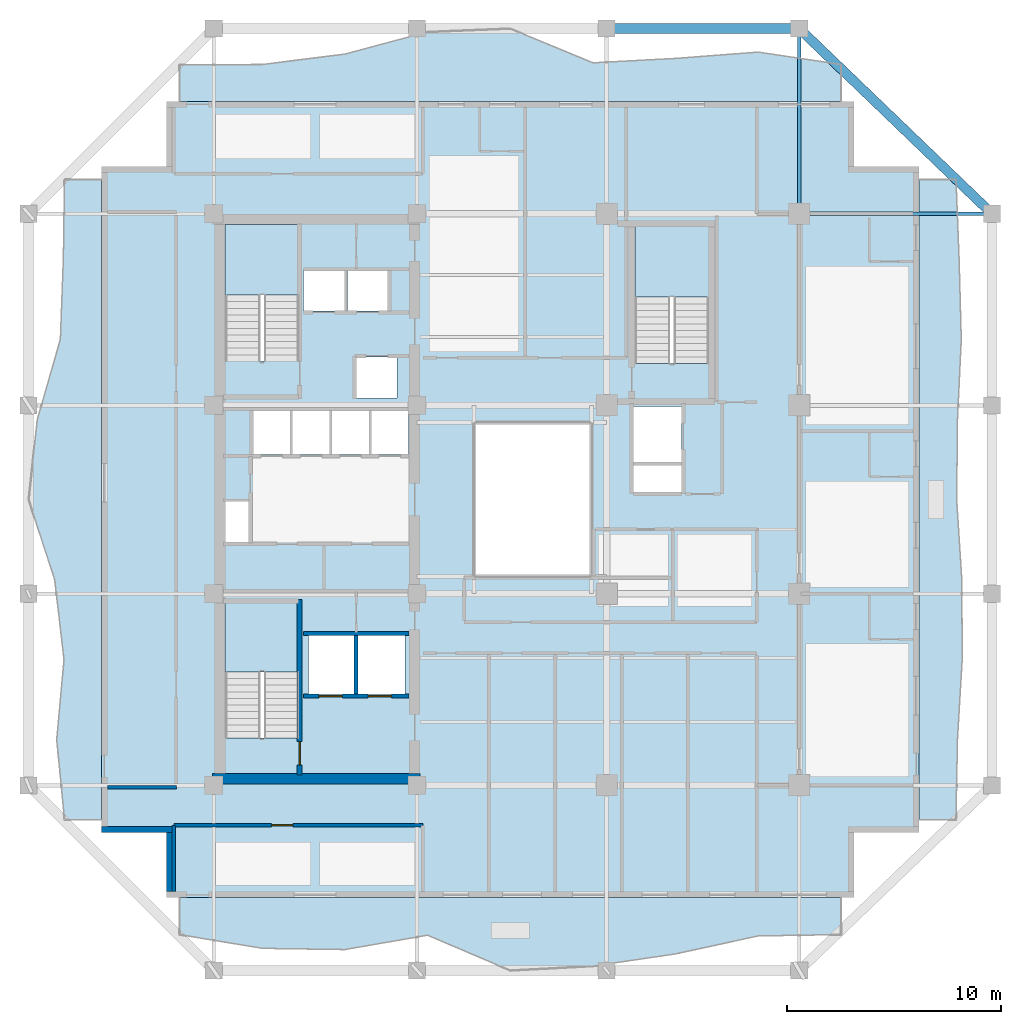
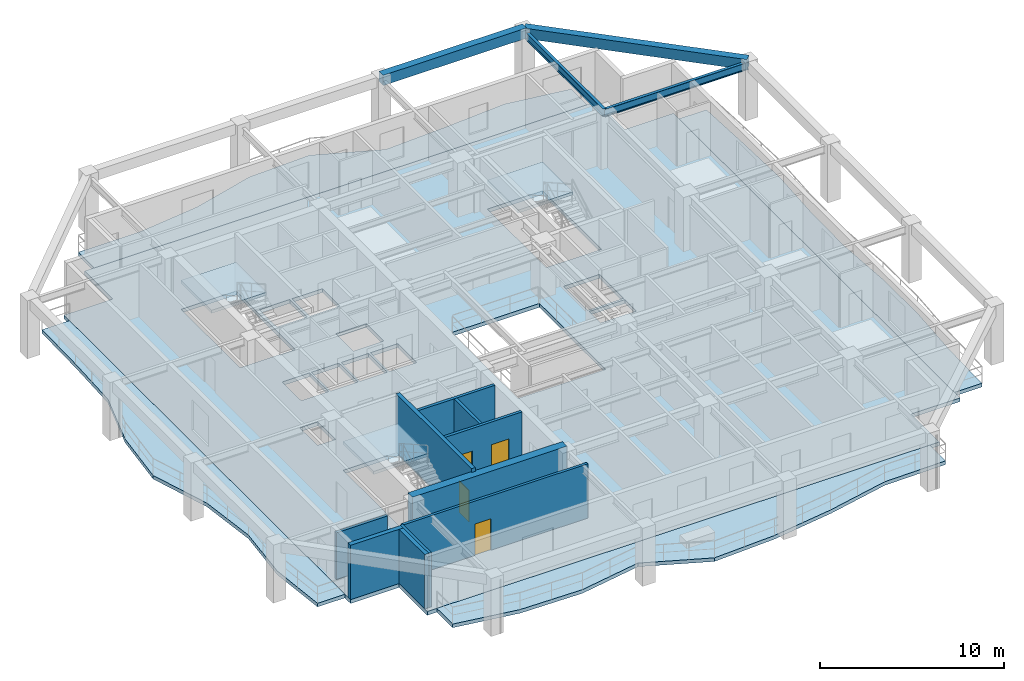
# One storey, part 2 of 11: 10 walls, 8 slabs, 4 beams, 4 doors, 4 openings, 3 elements without a shape of their own.
"""IFC4 building model written with IfcOpenShell, lengths in metres."""

from ifc_helpers import new_model, si_unit, direction, frame, frame_2d, origin, origin_2d, place, context, subcontext, project, spatial, polyline, rectangle, i_section, outline, extrude, material, layer, layer_set, material_profile, profile_set, type_object, element, fill, aggregate, save


model = new_model("IFC4")

# Units and contexts
model_context = context("Model", 3, precision=1e-05, world=origin(), true_north=direction((0.0, 1.0)))
body_context = subcontext(model_context, "Body", "Model", "MODEL_VIEW")
ifc_project = project(units=[si_unit("LENGTHUNIT", "METRE"), si_unit("AREAUNIT", "SQUARE_METRE"), si_unit("VOLUMEUNIT", "CUBIC_METRE"), si_unit("PLANEANGLEUNIT", "RADIAN"), si_unit("MASSUNIT", "GRAM", prefix="KILO")], contexts=[model_context])

# Site, building, storey
site_placement = place(None, origin())
site = spatial("IfcSite", under=ifc_project, at=site_placement, CompositionType="ELEMENT")
building_placement = place(site_placement, origin())
building = spatial("IfcBuilding", under=site, at=building_placement, Name="Kundavana Baori Tower", CompositionType="ELEMENT")
storey_placement = place(building_placement, frame((0.0, 0.0, 142.5)))
storey = spatial("IfcBuildingStorey", under=building, at=storey_placement, Name="L34", CompositionType="ELEMENT", Elevation=142.5)

# Beams
ifc_material_1 = material(Name="Concrete C50/60", Category="concrete")
ifc_material_profile_1 = material_profile(ifc_material_1, rectangle(XDim=0.449951171875, YDim=0.679931640625, at=origin_2d()), Name="RC BM 450x680")
ifc_profile_set_1 = profile_set([ifc_material_profile_1], Name="Concrete C50/60")
beam_type_1 = type_object("IfcBeamType", Name="BM-PF-680", PredefinedType="SPANDREL", material=ifc_profile_set_1)
beam_1_placement = place(storey_placement, frame((33.800048828125, 50.60009765625, 3.510009765625), z_axis=(1.0, 0.0, 0.0), x_axis=(0.0, 1.0, 0.0)))
element("IfcBeam", 1, at=beam_1_placement, inside=storey, type_object=beam_type_1, Name="L34 Perimeter Frame Ring Beam N3", PredefinedType="SPANDREL", context=body_context, shape_type="SweptSolid", body=[
    extrude(rectangle(XDim=0.449951171875, YDim=0.679931640625, at=origin_2d()), origin(), (0.0, 0.0, 1.0), 9.0),
])
beam_2_placement = place(storey_placement, frame((42.800048828125, 50.60009765625, 3.510009765625), z_axis=(0.720981122985, -0.692954702921, 0.0), x_axis=(0.692954702921, 0.720981122985, 0.0)))
element("IfcBeam", 2, at=beam_2_placement, inside=storey, type_object=beam_type_1, Name="L34 Notched Corner Perimeter Beam NE", PredefinedType="SPANDREL", context=body_context, shape_type="SweptSolid", body=[
    extrude(rectangle(XDim=0.449951171875, YDim=0.679931640625, at=origin_2d()), origin(), (0.0, 0.0, 1.0), 12.48291015625),
])
ifc_material_2 = material(Name="Structural Steel S355JR", Category="steel")
ifc_material_profile_2 = material_profile(ifc_material_2, i_section(OverallWidth=0.179931640625, OverallDepth=0.5, WebThickness=0.01025390625, FlangeThickness=0.01708984375, FilletRadius=0.01708984375, at=origin_2d()), Name="ISMB 500")
ifc_profile_set_2 = profile_set([ifc_material_profile_2], Name="Structural Steel S355JR")
beam_type_2 = type_object("IfcBeamType", Name="BM-TIE-500", PredefinedType="BEAM", material=ifc_profile_set_2)
beam_3_placement = place(storey_placement, frame((42.800048828125, 41.949951171875, 3.35009765625), z_axis=(0.0, 1.0, 0.0), x_axis=(-1.0, 0.0, 0.0)))
element("IfcBeam", 3, at=beam_3_placement, inside=storey, type_object=beam_type_2, Name="L34 North Radial Loggia Tie Beam N4", PredefinedType="BEAM", context=body_context, shape_type="SweptSolid", body=[
    extrude(i_section(OverallWidth=0.179931640625, OverallDepth=0.5, WebThickness=0.01025390625, FlangeThickness=0.01708984375, FilletRadius=0.01708984375, at=origin_2d()), origin(), (0.0, 0.0, 1.0), 8.650146484375),
])
beam_4_placement = place(storey_placement, frame((42.800048828125, 41.949951171875, 3.35009765625), z_axis=(1.0, 0.0, 0.0), x_axis=(0.0, 1.0, 0.0)))
element("IfcBeam", 4, at=beam_4_placement, inside=storey, type_object=beam_type_2, Name="L34 East Radial Loggia Tie Beam E4", PredefinedType="BEAM", context=body_context, shape_type="SweptSolid", body=[
    extrude(i_section(OverallWidth=0.179931640625, OverallDepth=0.5, WebThickness=0.01025390625, FlangeThickness=0.01708984375, FilletRadius=0.01708984375, at=origin_2d()), origin(), (0.0, 0.0, 1.0), 9.0),
])

# Slab
ifc_material_3 = material(Name="Concrete C40/50", Category="concrete")
ifc_layer_1 = layer(ifc_material_3, 0.25, Name="SLB-FLR-250")
ifc_layer_set_1 = layer_set([ifc_layer_1], Name="Concrete C40/50")
slab_type_1 = type_object("IfcSlabType", Name="SLB-FLR-250", PredefinedType="FLOOR", material=ifc_layer_set_1)
slab_1_placement = place(storey_placement, frame((0.0, 0.0, -0.25)))
element("IfcSlab", 5, at=slab_1_placement, inside=storey, type_object=slab_type_1, Name="L34 Structural Floor Slab", PredefinedType="FLOOR", context=body_context, shape_type="SweptSolid", body=[
    extrude(outline(polyline([(13.25, 10.0), (45.35009765625, 10.0), (45.35009765625, 13.050048828125), (48.39990234375, 13.050048828125), (48.39990234375, 44.14990234375), (45.35009765625, 44.14990234375), (45.35009765625, 47.199951171875), (13.25, 47.199951171875), (13.25, 44.14990234375), (10.199951171875, 44.14990234375), (10.199951171875, 13.050048828125), (13.25, 13.050048828125), (13.25, 10.0)]), holes=[polyline([(19.43994140625, 17.4619140625), (19.43994140625, 23.85009765625), (15.97998046875, 23.85009765625), (15.97998046875, 17.4619140625), (19.43994140625, 17.4619140625)]), polyline([(19.43994140625, 35.06201171875), (19.43994140625, 41.449951171875), (15.97998046875, 41.449951171875), (15.97998046875, 35.06201171875), (19.43994140625, 35.06201171875)]), polyline([(38.580078125, 34.9619140625), (38.580078125, 41.35009765625), (35.1201171875, 41.35009765625), (35.1201171875, 34.9619140625), (38.580078125, 34.9619140625)]), polyline([(17.300048828125, 30.699951171875), (19.02001953125, 30.699951171875), (19.02001953125, 32.75), (17.300048828125, 32.75), (17.300048828125, 30.699951171875)]), polyline([(19.139892578125, 30.699951171875), (20.860107421875, 30.699951171875), (20.860107421875, 32.75), (19.139892578125, 32.75), (19.139892578125, 30.699951171875)]), polyline([(20.97998046875, 30.699951171875), (22.699951171875, 30.699951171875), (22.699951171875, 32.75), (20.97998046875, 32.75), (20.97998046875, 30.699951171875)]), polyline([(22.820068359375, 30.699951171875), (24.5400390625, 30.699951171875), (24.5400390625, 32.75), (22.820068359375, 32.75), (22.820068359375, 30.699951171875)]), polyline([(19.64990234375, 37.39990234375), (21.550048828125, 37.39990234375), (21.550048828125, 39.300048828125), (19.64990234375, 39.300048828125), (19.64990234375, 37.39990234375)]), polyline([(21.699951171875, 37.39990234375), (23.60009765625, 37.39990234375), (23.60009765625, 39.300048828125), (21.699951171875, 39.300048828125), (21.699951171875, 37.39990234375)]), polyline([(22.10009765625, 33.35009765625), (24.0, 33.35009765625), (24.0, 35.25), (22.10009765625, 35.25), (22.10009765625, 33.35009765625)]), polyline([(19.8798828125, 19.5), (22.02001953125, 19.5), (22.02001953125, 22.25), (19.8798828125, 22.25), (19.8798828125, 19.5)]), polyline([(22.179931640625, 19.5), (24.3798828125, 19.5), (24.3798828125, 22.25), (22.179931640625, 22.25), (22.179931640625, 19.5)]), polyline([(35.050048828125, 30.35009765625), (37.300048828125, 30.35009765625), (37.300048828125, 32.949951171875), (35.050048828125, 32.949951171875), (35.050048828125, 30.35009765625)]), polyline([(15.949951171875, 26.60009765625), (17.080078125, 26.60009765625), (17.080078125, 28.5), (15.949951171875, 28.5), (15.949951171875, 26.60009765625)]), polyline([(35.050048828125, 28.949951171875), (37.300048828125, 28.949951171875), (37.300048828125, 30.199951171875), (35.050048828125, 30.199951171875), (35.050048828125, 28.949951171875)]), polyline([(27.60009765625, 25.0), (33.10009765625, 25.0), (33.10009765625, 32.199951171875), (27.60009765625, 32.199951171875), (27.60009765625, 25.0)])]), origin(), (0.0, 0.0, 1.0), 0.25),
])

# Stair, slab
ifc_material_4 = material(Name="Concrete C40/50", Category="concrete")
stair_type = type_object("IfcStairType", Name="STR-DOG-1650", PredefinedType="HALF_TURN_STAIR", material=ifc_material_4)
stair_1_placement = place(storey_placement, origin())
stair_1 = element("IfcStair", 6, at=stair_1_placement, inside=storey, type_object=stair_type, Name="L34 Protected Exit Stair ST1", PredefinedType="HALF_TURN_STAIR")
ifc_material_5 = material(Name="Concrete C40/50", Category="concrete")
ifc_layer_2 = layer(ifc_material_5, 0.199951171875, Name="SLB-LND-200")
ifc_layer_set_2 = layer_set([ifc_layer_2], Name="Concrete C40/50")
slab_type_2 = type_object("IfcSlabType", Name="SLB-LND-200", PredefinedType="LANDING", material=ifc_layer_set_2)
slab_2_placement = place(storey_placement, frame((0.0, 0.0, 1.72509765625)))
slab_2 = element("IfcSlab", 7, at=slab_2_placement, type_object=slab_type_2, Name="ST1 landing 1", PredefinedType="LANDING", context=body_context, shape_type="SweptSolid", body=[
    extrude(outline(polyline([(19.43994140625, 20.550048828125), (19.43994140625, 23.85009765625), (15.97998046875, 23.85009765625), (15.97998046875, 20.550048828125), (19.43994140625, 20.550048828125)])), origin(), (0.0, 0.0, 1.0), 0.199951171875),
])
aggregate(stair_1, [slab_2])

stair_2_placement = place(storey_placement, origin())
stair_2 = element("IfcStair", 8, at=stair_2_placement, inside=storey, type_object=stair_type, Name="L34 Protected Exit Stair ST2", PredefinedType="HALF_TURN_STAIR")
slab_3_placement = place(storey_placement, frame((0.0, 0.0, 1.72509765625)))
slab_3 = element("IfcSlab", 9, at=slab_3_placement, type_object=slab_type_2, Name="ST2 landing 1", PredefinedType="LANDING", context=body_context, shape_type="SweptSolid", body=[
    extrude(outline(polyline([(19.43994140625, 38.14990234375), (19.43994140625, 41.449951171875), (15.97998046875, 41.449951171875), (15.97998046875, 38.14990234375), (19.43994140625, 38.14990234375)])), origin(), (0.0, 0.0, 1.0), 0.199951171875),
])
aggregate(stair_2, [slab_3])

stair_3_placement = place(storey_placement, origin())
stair_3 = element("IfcStair", 10, at=stair_3_placement, inside=storey, type_object=stair_type, Name="L34 Protected Exit Stair ST3", PredefinedType="HALF_TURN_STAIR")
slab_4_placement = place(storey_placement, frame((0.0, 0.0, 1.72509765625)))
slab_4 = element("IfcSlab", 11, at=slab_4_placement, type_object=slab_type_2, Name="ST3 landing 1", PredefinedType="LANDING", context=body_context, shape_type="SweptSolid", body=[
    extrude(outline(polyline([(38.580078125, 38.050048828125), (38.580078125, 41.35009765625), (35.1201171875, 41.35009765625), (35.1201171875, 38.050048828125), (38.580078125, 38.050048828125)])), origin(), (0.0, 0.0, 1.0), 0.199951171875),
])
aggregate(stair_3, [slab_4])

# Slabs
ifc_material_6 = material(Name="Concrete C40/50", Category="concrete")
ifc_layer_3 = layer(ifc_material_6, 0.239990234375, Name="SLB-LOG-240")
ifc_layer_set_3 = layer_set([ifc_layer_3], Name="Concrete C40/50")
slab_type_3 = type_object("IfcSlabType", Name="SLB-LOG-240", PredefinedType="FLOOR", material=ifc_layer_set_3)
slab_5_placement = place(storey_placement, frame((0.0, 0.0, -0.239990234375)))
element("IfcSlab", 12, at=slab_5_placement, inside=storey, type_object=slab_type_3, Name="L34 Planted Loggia Balcony Slab S", PredefinedType="FLOOR", context=body_context, shape_type="SweptSolid", body=[
    extrude(outline(polyline([(13.85009765625, 10.0), (44.75, 10.0), (44.75, 8.280029296875), (40.886962890625, 8.217041015625), (37.02490234375, 7.3779296875), (33.1630859375, 6.806884765625), (29.300048828125, 6.60009765625), (25.43798828125, 8.2509765625), (21.574951171875, 7.5791015625), (17.7119140625, 7.637939453125), (13.85009765625, 8.280029296875), (13.85009765625, 10.0)])), origin(), (0.0, 0.0, 1.0), 0.239990234375),
])
slab_6_placement = place(storey_placement, frame((0.0, 0.0, -0.239990234375)))
element("IfcSlab", 13, at=slab_6_placement, inside=storey, type_object=slab_type_3, Name="L34 Planted Loggia Balcony Slab E", PredefinedType="FLOOR", context=body_context, shape_type="SweptSolid", body=[
    extrude(outline(polyline([(48.39990234375, 13.64990234375), (48.39990234375, 43.550048828125), (50.1201171875, 43.550048828125), (50.26708984375, 39.81201171875), (50.367919921875, 36.074951171875), (50.18994140625, 32.3369140625), (50.152099609375, 28.60009765625), (50.39306640625, 24.862060546875), (50.410888671875, 21.125), (50.18896484375, 17.386962890625), (50.1201171875, 13.64990234375), (48.39990234375, 13.64990234375)])), origin(), (0.0, 0.0, 1.0), 0.239990234375),
])
slab_7_placement = place(storey_placement, frame((0.0, 0.0, -0.239990234375)))
element("IfcSlab", 14, at=slab_7_placement, inside=storey, type_object=slab_type_3, Name="L34 Planted Loggia Balcony Slab N", PredefinedType="FLOOR", context=body_context, shape_type="SweptSolid", body=[
    extrude(outline(polyline([(44.75, 47.199951171875), (13.85009765625, 47.199951171875), (13.85009765625, 48.919921875), (17.7119140625, 48.9208984375), (21.574951171875, 49.406005859375), (25.43798828125, 50.443115234375), (29.300048828125, 50.60009765625), (33.1630859375, 48.9990234375), (37.02490234375, 49.2060546875), (40.886962890625, 49.5), (44.75, 48.919921875), (44.75, 47.199951171875)])), origin(), (0.0, 0.0, 1.0), 0.239990234375),
])
slab_8_placement = place(storey_placement, frame((0.0, 0.0, -0.239990234375)))
element("IfcSlab", 15, at=slab_8_placement, inside=storey, type_object=slab_type_3, Name="L34 Planted Loggia Balcony Slab W", PredefinedType="FLOOR", context=body_context, shape_type="SweptSolid", body=[
    extrude(outline(polyline([(10.199951171875, 43.550048828125), (10.199951171875, 13.64990234375), (8.47998046875, 13.64990234375), (8.114013671875, 17.386962890625), (8.45703125, 21.125), (8.01806640625, 24.862060546875), (6.800048828125, 28.60009765625), (7.20703125, 32.3369140625), (8.284912109375, 36.074951171875), (8.424072265625, 39.81201171875), (8.47998046875, 43.550048828125), (10.199951171875, 43.550048828125)])), origin(), (0.0, 0.0, 1.0), 0.239990234375),
])

# Wall, opening, door
ifc_material_7 = material(Name="Concrete C50/60", Category="concrete")
ifc_layer_4 = layer(ifc_material_7, 0.39990234375, Name="WL-CORE-400")
ifc_layer_set_4 = layer_set([ifc_layer_4], Name="Concrete C50/60")
wall_type_1 = type_object("IfcWallType", Name="WL-CORE-400", PredefinedType="SHEAR", material=ifc_layer_set_4)
wall_1_placement = place(storey_placement, frame((19.4599609375, 15.739990234375, 0.0), z_axis=(0.0, 0.0, 1.0), x_axis=(0.0, 1.0, 0.0)))
wall_1 = element("IfcWall", 16, at=wall_1_placement, inside=storey, type_object=wall_type_1, Name="WL-L34-ST1-E", PredefinedType="SHEAR", context=body_context, shape_type="SweptSolid", body=[
    extrude(rectangle(XDim=8.199951171875, YDim=0.239990234375, at=frame_2d((4.10009765625, 0.0))), origin(), (0.0, 0.0, 1.0), 3.85009765625),
])
opening_1_placement = place(wall_1_placement, frame((0.449951171875, 0.0, 0.0)))
opening_1 = element("IfcOpeningElement", 17, at=opening_1_placement, cuts=wall_1, Name="Opening FD-110", PredefinedType="OPENING", context=body_context, shape_type="SweptSolid", body=[
    extrude(rectangle(XDim=1.10009765625, YDim=2.10009765625, at=frame_2d((0.550048828125, 1.050048828125))), frame((0.0, 0.1298828125, 0.0), z_axis=(0.0, -1.0, 0.0), x_axis=(1.0, 0.0, 0.0)), (0.0, 0.0, 1.0), 0.260009765625),
])
ifc_material_8 = material(Name="Galvanised Steel Fire-Rated Door Leaf", Category="steel")
door_type_1 = type_object("IfcDoorType", Name="DR-FD120-1100", OperationType="NOTDEFINED", PredefinedType="DOOR", material=ifc_material_8)
door_1_placement = place(opening_1_placement, origin())
door_1 = element("IfcDoor", 18, at=door_1_placement, inside=storey, type_object=door_type_1, Name="DR-L34-ST1", OperationType="SINGLE_SWING_LEFT", OverallHeight=2.10009765625, OverallWidth=1.10009765625, PredefinedType="DOOR", context=body_context, shape_type="SweptSolid", body=[
    extrude(rectangle(XDim=1.10009765625, YDim=2.10009765625, at=frame_2d((0.550048828125, 1.050048828125))), frame((0.0, 0.02490234375, 0.0), z_axis=(0.0, -1.0, 0.0), x_axis=(1.0, 0.0, 0.0)), (0.0, 0.0, 1.0), 0.050048828125),
])
fill(opening_1, door_1)

# Walls
ifc_material_9 = material(Name="Concrete C50/60", Category="concrete")
ifc_layer_5 = layer(ifc_material_9, 0.5, Name="WL-CORE-500")
ifc_layer_set_5 = layer_set([ifc_layer_5], Name="Concrete C50/60")
wall_type_2 = type_object("IfcWallType", Name="WL-CORE-500", PredefinedType="SHEAR", material=ifc_layer_set_5)
wall_2_placement = place(storey_placement, frame((15.39990234375, 15.56005859375, 0.0), z_axis=(0.0, 0.0, 1.0), x_axis=(1.0, 0.0, 0.0)))
element("IfcWall", 19, at=wall_2_placement, inside=storey, type_object=wall_type_2, Name="L34 Offset Core South Shear Wall", PredefinedType="SHEAR", context=body_context, shape_type="SweptSolid", body=[
    extrude(rectangle(XDim=9.68017578125, YDim=0.5, at=frame_2d((4.840087890625, 0.0))), origin(), (0.0, 0.0, 1.0), 3.60009765625),
])
ifc_material_10 = material(Name="Red-Buff Dholpur Sandstone Cladding on Concrete C40/50", Category="masonry")
ifc_layer_6 = layer(ifc_material_10, 0.280029296875, Name="WL-EXT-SAND-280")
ifc_layer_set_6 = layer_set([ifc_layer_6], Name="Red-Buff Dholpur Sandstone Cladding on Concrete C40/50")
wall_type_3 = type_object("IfcWallType", Name="WL-EXT-SAND-280", PredefinedType="STANDARD", material=ifc_layer_set_6)
wall_3_placement = place(storey_placement, frame((10.199951171875, 13.18994140625, 0.0), z_axis=(0.0, 0.0, 1.0), x_axis=(1.0, 0.0, 0.0)))
element("IfcWall", 20, at=wall_3_placement, inside=storey, type_object=wall_type_3, Name="L34 Exterior Insulated Facade Wall 11", PredefinedType="STANDARD", context=body_context, shape_type="SweptSolid", body=[
    extrude(rectangle(XDim=3.330078125, YDim=0.280029296875, at=frame_2d((1.6650390625, 0.0))), origin(), (0.0, 0.0, 1.0), 3.60009765625),
])
wall_4_placement = place(storey_placement, frame((13.389892578125, 13.050048828125, 0.0), z_axis=(0.0, 0.0, 1.0), x_axis=(0.0, -1.0, 0.0)))
element("IfcWall", 21, at=wall_4_placement, inside=storey, type_object=wall_type_3, Name="L34 Exterior Insulated Facade Wall 12", PredefinedType="STANDARD", context=body_context, shape_type="SweptSolid", body=[
    extrude(rectangle(XDim=2.77001953125, YDim=0.280029296875, at=frame_2d((1.385009765625, 0.0))), origin(), (0.0, 0.0, 1.0), 3.60009765625),
])
ifc_material_11 = material(Name="Fire-Rated Gypsum Drywall on Galvanised Steel Studs", Category="steel")
ifc_layer_7 = layer(ifc_material_11, 0.1650390625, Name="WL-PART-165")
ifc_layer_set_7 = layer_set([ifc_layer_7], Name="Fire-Rated Gypsum Drywall on Galvanised Steel Studs")
wall_type_4 = type_object("IfcWallType", Name="WL-PART-165", PredefinedType="PARTITIONING", material=ifc_layer_set_7)
wall_5_placement = place(storey_placement, frame((10.47998046875, 15.159912109375, 0.0), z_axis=(0.0, 0.0, 1.0), x_axis=(1.0, 0.0, 0.0)))
element("IfcWall", 22, at=wall_5_placement, inside=storey, type_object=wall_type_4, Name="WL-L34-HWS", PredefinedType="PARTITIONING", context=body_context, shape_type="SweptSolid", body=[
    extrude(rectangle(XDim=3.219970703125, YDim=0.1650390625, at=frame_2d((1.60986328125, 0.0))), origin(), (0.0, 0.0, 1.0), 3.10009765625),
])

# Wall, opening, door
wall_6_placement = place(storey_placement, frame((13.590087890625, 13.3798828125, 0.0), z_axis=(0.0, 0.0, 1.0), x_axis=(1.0, 0.0, 0.0)))
wall_6 = element("IfcWall", 23, at=wall_6_placement, inside=storey, type_object=wall_type_4, Name="WL-L34-HSC", PredefinedType="PARTITIONING", context=body_context, shape_type="SweptSolid", body=[
    extrude(rectangle(XDim=11.6298828125, YDim=0.1650390625, at=frame_2d((5.81494140625, 0.0))), origin(), (0.0, 0.0, 1.0), 3.60009765625),
])
opening_2_placement = place(wall_6_placement, frame((4.56005859375, 0.0, 0.0)))
opening_2 = element("IfcOpeningElement", 24, at=opening_2_placement, cuts=wall_6, Name="Opening ID-100", PredefinedType="OPENING", context=body_context, shape_type="SweptSolid", body=[
    extrude(rectangle(XDim=1.0, YDim=2.080078125, at=frame_2d((0.5, 1.0400390625))), frame((0.0, 0.092529296875, 0.0), z_axis=(0.0, -1.0, 0.0), x_axis=(1.0, 0.0, 0.0)), (0.0, 0.0, 1.0), 0.18505859375),
])
ifc_material_12 = material(Name="Engineered Teak Solid-Core Timber Veneer", Category="wood")
door_type_2 = type_object("IfcDoorType", Name="DR-INT-1000", OperationType="NOTDEFINED", PredefinedType="DOOR", material=ifc_material_12)
door_2_placement = place(opening_2_placement, frame((1.0, 0.0, 0.0), z_axis=(0.0, 0.0, 1.0), x_axis=(-1.0, 0.0, 0.0)))
door_2 = element("IfcDoor", 25, at=door_2_placement, inside=storey, type_object=door_type_2, Name="DR-L34-HMSW", OperationType="SINGLE_SWING_LEFT", OverallHeight=2.080078125, OverallWidth=1.0, PredefinedType="DOOR", context=body_context, shape_type="SweptSolid", body=[
    extrude(rectangle(XDim=1.0, YDim=2.080078125, at=frame_2d((0.5, 1.0400390625))), frame((0.0, 0.02490234375, 0.0), z_axis=(0.0, -1.0, 0.0), x_axis=(1.0, 0.0, 0.0)), (0.0, 0.0, 1.0), 0.050048828125),
])
fill(opening_2, door_2)

# Wall
wall_7_placement = place(storey_placement, frame((13.590087890625, 10.280029296875, 0.0), z_axis=(0.0, 0.0, 1.0), x_axis=(0.0, 1.0, 0.0)))
element("IfcWall", 26, at=wall_7_placement, inside=storey, type_object=wall_type_4, Name="WL-L34-HSCW", PredefinedType="PARTITIONING", context=body_context, shape_type="SweptSolid", body=[
    extrude(rectangle(XDim=3.099853515625, YDim=0.1650390625, at=frame_2d((1.5498046875, 0.0))), origin(), (0.0, 0.0, 1.0), 3.60009765625),
])

# Wall, openings, doors
ifc_material_13 = material(Name="Autoclaved Aerated Concrete Blockwork Masonry", Category="masonry")
ifc_layer_8 = layer(ifc_material_13, 0.179931640625, Name="WL-SHAFT-180")
ifc_layer_set_8 = layer_set([ifc_layer_8], Name="Autoclaved Aerated Concrete Blockwork Masonry")
wall_type_5 = type_object("IfcWallType", Name="WL-SHAFT-180", PredefinedType="SOLIDWALL", material=ifc_layer_set_8)
wall_8_placement = place(storey_placement, frame((19.639892578125, 19.419921875, 0.0), z_axis=(0.0, 0.0, 1.0), x_axis=(1.0, 0.0, 0.0)))
wall_8 = element("IfcWall", 27, at=wall_8_placement, inside=storey, type_object=wall_type_5, Name="WL-L34-FFL-S", PredefinedType="SOLIDWALL", context=body_context, shape_type="SweptSolid", body=[
    extrude(rectangle(XDim=4.940185546875, YDim=0.179931640625, at=frame_2d((2.47021484375, 0.0))), origin(), (0.0, 0.0, 1.0), 3.60009765625),
])
opening_3_placement = place(wall_8_placement, frame((0.719970703125, 0.0, 0.0)))
opening_3 = element("IfcOpeningElement", 28, at=opening_3_placement, cuts=wall_8, Name="Opening LD-110", PredefinedType="OPENING", context=body_context, shape_type="SweptSolid", body=[
    extrude(rectangle(XDim=1.10009765625, YDim=2.10009765625, at=frame_2d((0.550048828125, 1.050048828125))), frame((0.0, 0.10009765625, 0.0), z_axis=(0.0, -1.0, 0.0), x_axis=(1.0, 0.0, 0.0)), (0.0, 0.0, 1.0), 0.199951171875),
])
opening_4_placement = place(wall_8_placement, frame((3.02001953125, 0.0, 0.0)))
opening_4 = element("IfcOpeningElement", 29, at=opening_4_placement, cuts=wall_8, Name="Opening LD-110", PredefinedType="OPENING", context=body_context, shape_type="SweptSolid", body=[
    extrude(rectangle(XDim=1.10009765625, YDim=2.10009765625, at=frame_2d((0.550048828125, 1.050048828125))), frame((0.0, 0.10009765625, 0.0), z_axis=(0.0, -1.0, 0.0), x_axis=(1.0, 0.0, 0.0)), (0.0, 0.0, 1.0), 0.199951171875),
])
ifc_material_14 = material(Name="Galvanised Steel Fire-Rated Door Leaf", Category="steel")
door_type_3 = type_object("IfcDoorType", Name="DR-SLIDE-LD1100", OperationType="NOTDEFINED", PredefinedType="DOOR", material=ifc_material_14)
door_3_placement = place(opening_3_placement, origin())
door_3 = element("IfcDoor", 30, at=door_3_placement, inside=storey, type_object=door_type_3, Name="DR-L34-LD-FFL-1", OperationType="DOUBLE_DOOR_SLIDING", OverallHeight=2.10009765625, OverallWidth=1.10009765625, PredefinedType="DOOR", context=body_context, shape_type="SweptSolid", body=[
    extrude(rectangle(XDim=1.10009765625, YDim=2.10009765625, at=frame_2d((0.550048828125, 1.050048828125))), frame((0.0, 0.02490234375, 0.0), z_axis=(0.0, -1.0, 0.0), x_axis=(1.0, 0.0, 0.0)), (0.0, 0.0, 1.0), 0.050048828125),
])
fill(opening_3, door_3)
door_4_placement = place(opening_4_placement, origin())
door_4 = element("IfcDoor", 31, at=door_4_placement, inside=storey, type_object=door_type_3, Name="DR-L34-LD-FFL-2", OperationType="DOUBLE_DOOR_SLIDING", OverallHeight=2.10009765625, OverallWidth=1.10009765625, PredefinedType="DOOR", context=body_context, shape_type="SweptSolid", body=[
    extrude(rectangle(XDim=1.10009765625, YDim=2.10009765625, at=frame_2d((0.550048828125, 1.050048828125))), frame((0.0, 0.02490234375, 0.0), z_axis=(0.0, -1.0, 0.0), x_axis=(1.0, 0.0, 0.0)), (0.0, 0.0, 1.0), 0.050048828125),
])
fill(opening_4, door_4)

# Walls
wall_9_placement = place(storey_placement, frame((22.10009765625, 19.510009765625, 0.0), z_axis=(0.0, 0.0, 1.0), x_axis=(0.0, 1.0, 0.0)))
element("IfcWall", 32, at=wall_9_placement, inside=storey, type_object=wall_type_5, Name="WL-L34-FFL-MID", PredefinedType="SOLIDWALL", context=body_context, shape_type="SweptSolid", body=[
    extrude(rectangle(XDim=2.739990234375, YDim=0.179931640625, at=frame_2d((1.3701171875, 0.0))), origin(), (0.0, 0.0, 1.0), 3.60009765625),
])
wall_10_placement = place(storey_placement, frame((19.639892578125, 22.340087890625, 0.0), z_axis=(0.0, 0.0, 1.0), x_axis=(1.0, 0.0, 0.0)))
element("IfcWall", 33, at=wall_10_placement, inside=storey, type_object=wall_type_5, Name="WL-L34-FFL-N", PredefinedType="SOLIDWALL", context=body_context, shape_type="SweptSolid", body=[
    extrude(rectangle(XDim=4.940185546875, YDim=0.179931640625, at=frame_2d((2.47021484375, 0.0))), origin(), (0.0, 0.0, 1.0), 3.60009765625),
])

save(model, "model.ifc")
